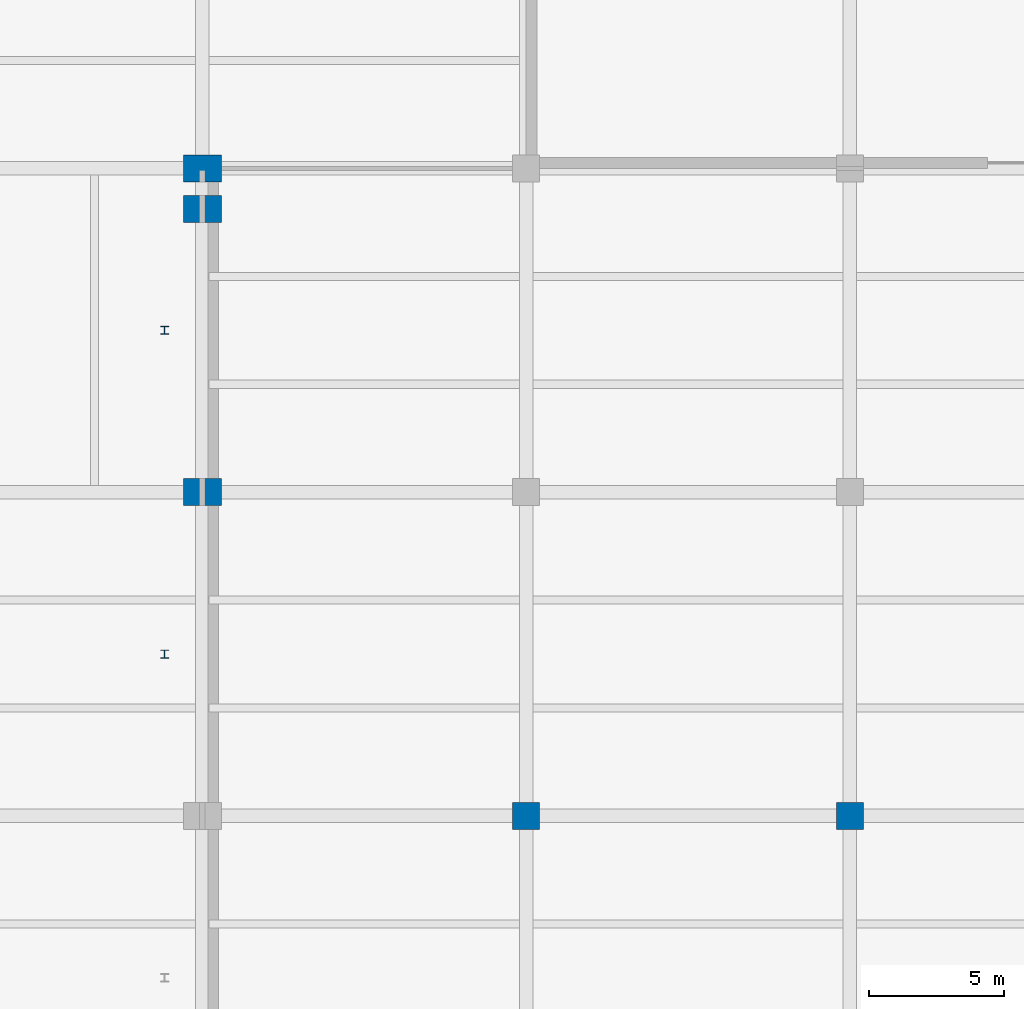
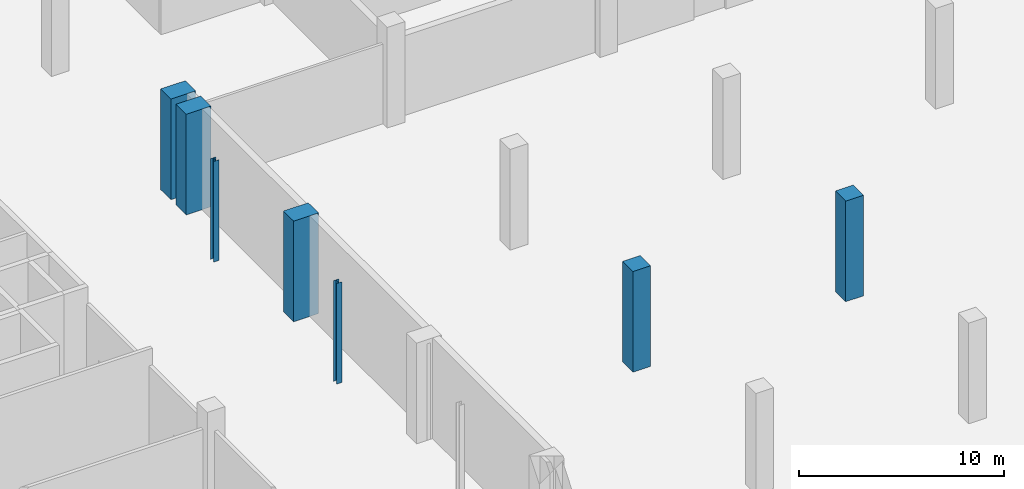
# One storey, part 11 of 59: 7 columns.
"""IFC4 building model written with IfcOpenShell, lengths in metres."""

import ifcopenshell
import ifcopenshell.guid

model = None  # the IFC model being written
_history = None  # IfcOwnerHistory: only IFC2X3 demands one
_inside = {}  # id of a spatial element -> (the spatial element, [elements in it])
_under = {}  # id of a project, library or spatial element -> (it, [spatial elements below it])
_declared = {}  # id of a project -> (the project, [libraries it declares])
_typed = {}  # id of a type object -> (the type object, [elements of that type])
_made_of = {}  # id of a material, layer set ... -> (it, [elements and type objects made of it])


def new_model(schema):
    """Start an empty IFC model of exactly this schema.

    Asked for "IFC4X3", IfcOpenShell would pick the latest addendum, in which some entities
    have other attributes; the version numbers below select the first issue.
    IFC2X3 requires an IfcOwnerHistory on every rooted entity: one is made here for all.
    """
    global model, _history
    if schema == "IFC4X3":
        model = ifcopenshell.file(schema_version=(4, 3, 0, 0))
    else:
        model = ifcopenshell.file(schema=schema)
    _inside.clear()
    _under.clear()
    _declared.clear()
    _typed.clear()
    _made_of.clear()
    _history = None
    if model.schema == "IFC2X3":
        org = make("IfcOrganization", Name="unknown")
        user = make(
            "IfcPersonAndOrganization",
            ThePerson=make("IfcPerson", FamilyName="unknown"),
            TheOrganization=org,
        )
        app = make(
            "IfcApplication",
            ApplicationDeveloper=org,
            Version="unknown",
            ApplicationFullName="unknown",
            ApplicationIdentifier="unknown",
        )
        _history = make(
            "IfcOwnerHistory",
            OwningUser=user,
            OwningApplication=app,
            ChangeAction="ADDED",
            CreationDate=0,
        )
    return model


def make(cls, **values):
    """One entity of the class cls with the attributes given. An attribute that is None is left unset."""
    return model.create_entity(
        cls, **{name: value for name, value in values.items() if value is not None}
    )


def rooted(cls, **values):
    """An entity with a GlobalId (a new one), such as an element, a storey or a relation."""
    return make(cls, GlobalId=ifcopenshell.guid.new(), OwnerHistory=_history, **values)


def si_unit(unit_type, name, prefix=None):
    """IfcSIUnit, for example si_unit("LENGTHUNIT", "METRE", prefix="MILLI")."""
    return make("IfcSIUnit", UnitType=unit_type, Prefix=prefix, Name=name)


def assignment(units):
    """IfcUnitAssignment: the units of a project."""
    return None if units is None else make("IfcUnitAssignment", Units=units)


def point(xyz):
    """IfcCartesianPoint."""
    return None if xyz is None else make("IfcCartesianPoint", Coordinates=xyz)


def direction(xyz):
    """IfcDirection."""
    return None if xyz is None else make("IfcDirection", DirectionRatios=xyz)


def frame(location, z_axis=None, x_axis=None):
    """IfcAxis2Placement3D, a coordinate frame: its origin and axes. An axis left out is left unset."""
    return make(
        "IfcAxis2Placement3D",
        Location=point(location),
        Axis=direction(z_axis),
        RefDirection=direction(x_axis),
    )


def frame_2d(location, x_axis=None):
    """IfcAxis2Placement2D, a coordinate frame in the plane: its origin and x axis."""
    return make(
        "IfcAxis2Placement2D", Location=point(location), RefDirection=direction(x_axis)
    )


def origin():
    """The frame at (0, 0, 0) with its axes left unset."""
    return frame((0.0, 0.0, 0.0))


def origin_2d():
    """The frame at (0, 0) in the plane with its x axis left unset."""
    return frame_2d((0.0, 0.0))


def place(relative_to, where):
    """IfcLocalPlacement: puts the frame where relative to a parent placement (None: the world)."""
    return make(
        "IfcLocalPlacement", PlacementRelTo=relative_to, RelativePlacement=where
    )


def context(
    kind, dimensions, precision=None, world=None, true_north=None, identifier=None
):
    """IfcGeometricRepresentationContext, for example the 3D "Model" context."""
    return make(
        "IfcGeometricRepresentationContext",
        ContextIdentifier=identifier,
        ContextType=kind,
        CoordinateSpaceDimension=dimensions,
        Precision=precision,
        WorldCoordinateSystem=world,
        TrueNorth=true_north,
    )


def subcontext(parent, identifier, kind, view, scale=None):
    """IfcGeometricRepresentationSubContext, for example "Body" below "Model"."""
    return make(
        "IfcGeometricRepresentationSubContext",
        ContextIdentifier=identifier,
        ContextType=kind,
        ParentContext=parent,
        TargetScale=scale,
        TargetView=view,
    )


def project(units=None, contexts=None):
    """IfcProject with its units and contexts."""
    return rooted(
        "IfcProject",
        Name="project",
        RepresentationContexts=contexts,
        UnitsInContext=assignment(units),
    )


def spatial(cls, under=None, at=None, **own):
    """A site, building, storey or space (cls), placed at a placement, below another one or the project."""
    s = rooted(cls, ObjectPlacement=at, **own)
    if under is not None:
        _under.setdefault(under.id(), (under, []))[1].append(s)
    return s


def profile(cls, at=None, kind="AREA", **sizes):
    """A parametric profile (cls). Its sizes go by their IFC names, for example OverallWidth=200.0."""
    return make(cls, ProfileType=kind, Position=at, **sizes)


def rectangle(**sizes):
    """IfcRectangleProfileDef."""
    return profile("IfcRectangleProfileDef", **sizes)


def i_section(**sizes):
    """IfcIShapeProfileDef."""
    return profile("IfcIShapeProfileDef", **sizes)


def extrude(swept, where, along, depth):
    """IfcExtrudedAreaSolid: the profile swept, set in the frame where, extruded along a direction by depth."""
    return make(
        "IfcExtrudedAreaSolid",
        SweptArea=swept,
        Position=where,
        ExtrudedDirection=direction(along),
        Depth=depth,
    )


def shape(context_of_items, identifier, shape_type, items):
    """IfcShapeRepresentation: the items that make up one representation, for example the "Body"."""
    return make(
        "IfcShapeRepresentation",
        ContextOfItems=context_of_items,
        RepresentationIdentifier=identifier,
        RepresentationType=shape_type,
        Items=items,
    )


def material(Name=None, Category=None):
    """IfcMaterial."""
    return make("IfcMaterial", Name=Name, Category=Category)


def material_profile(
    of_material, cross_section, Name=None, Category=None, Priority=None
):
    """IfcMaterialProfile: a cross section and its material."""
    return make(
        "IfcMaterialProfile",
        Name=Name,
        Material=of_material,
        Profile=cross_section,
        Priority=Priority,
        Category=Category,
    )


def profile_set(profiles, Name=None, composite=None):
    """IfcMaterialProfileSet."""
    return make(
        "IfcMaterialProfileSet",
        Name=Name,
        MaterialProfiles=profiles,
        CompositeProfile=composite,
    )


def made_of(thing, what):
    """Note that an element or type object is made of a material, layer set ...; save() writes the relation."""
    if what is not None:
        _made_of.setdefault(what.id(), (what, []))[1].append(thing)
    return thing


def type_object(cls, material=None, **own):
    """A type object (cls), such as IfcWallType, which elements share."""
    return made_of(rooted(cls, **own), material)


def element(
    cls,
    number,
    at=None,
    inside=None,
    cuts=None,
    type_object=None,
    material=None,
    context=None,
    identifier="Body",
    shape_type=None,
    held_by="IfcProductDefinitionShape",
    body=None,
    shapes=None,
    **own,
):
    """One element of the class cls, such as IfcWall. Its Tag is "e" and its number.

    at: its placement. inside: the storey or other place that contains it. cuts: it is an
    opening in that element (IfcRelVoidsElement). A single representation is given by context,
    identifier, shape_type and body (its items); several are given by shapes. held_by: the class
    of the entity that holds the representations. save() writes the other relations.
    """
    e = rooted(cls, Tag="e%d" % number, ObjectPlacement=at, **own)
    if body is not None:
        shapes = [shape(context, identifier, shape_type, body)]
    if shapes is not None:
        e.Representation = make(held_by, Representations=shapes)
    if inside is not None:
        _inside.setdefault(inside.id(), (inside, []))[1].append(e)
    if cuts is not None:
        rooted(
            "IfcRelVoidsElement", RelatingBuildingElement=cuts, RelatedOpeningElement=e
        )
    if type_object is not None:
        _typed.setdefault(type_object.id(), (type_object, []))[1].append(e)
    return made_of(e, material)


def aggregate(whole, parts):
    """IfcRelAggregates: a whole, such as a stair, and the parts it consists of."""
    return rooted("IfcRelAggregates", RelatingObject=whole, RelatedObjects=parts)


def save(model, path):
    """Write the relations noted so far, then the file.

    IfcRelAggregates (storeys below a building ...), IfcRelContainedInSpatialStructure (elements
    in a storey), IfcRelDefinesByType, IfcRelAssociatesMaterial and IfcRelDeclares: one each for
    every whole, place, type object, material and project.
    """
    for whole, parts in _under.values():
        aggregate(whole, parts)
    for where, things in _inside.values():
        rooted(
            "IfcRelContainedInSpatialStructure",
            RelatedElements=things,
            RelatingStructure=where,
        )
    for kind, things in _typed.values():
        rooted("IfcRelDefinesByType", RelatedObjects=things, RelatingType=kind)
    for what, things in _made_of.values():
        rooted("IfcRelAssociatesMaterial", RelatedObjects=things, RelatingMaterial=what)
    for by, libraries in _declared.values():
        rooted("IfcRelDeclares", RelatingContext=by, RelatedDefinitions=libraries)
    model.write(path)


model = new_model("IFC4")

# Units and contexts
model_context = context("Model", 3, precision=1e-05, world=origin(), true_north=direction((0.0, 1.0)))
body_context = subcontext(model_context, "Body", "Model", "MODEL_VIEW")
ifc_project = project(units=[si_unit("LENGTHUNIT", "METRE"), si_unit("AREAUNIT", "SQUARE_METRE"), si_unit("VOLUMEUNIT", "CUBIC_METRE"), si_unit("PLANEANGLEUNIT", "RADIAN"), si_unit("MASSUNIT", "GRAM", prefix="KILO")], contexts=[model_context])

# Site, building, storey
site_placement = place(None, origin())
site = spatial("IfcSite", under=ifc_project, at=site_placement, CompositionType="ELEMENT")
building_placement = place(site_placement, origin())
building = spatial("IfcBuilding", under=site, at=building_placement, Name="Lilac Gate Convention Centre", CompositionType="ELEMENT")
storey_placement = place(building_placement, origin())
storey = spatial("IfcBuildingStorey", under=building, at=storey_placement, Name="L00", CompositionType="ELEMENT", Elevation=0.0)

# Columns
ifc_material_1 = material(Name="Concrete C40", Category="concrete")
ifc_material_profile_1 = material_profile(ifc_material_1, rectangle(XDim=1.0, YDim=1.0, at=origin_2d()), Name="RC 1000x1000")
ifc_profile_set_1 = profile_set([ifc_material_profile_1], Name="Concrete C40")
column_type_1 = type_object("IfcColumnType", Name="RC column 1000x1000 C40", PredefinedType="COLUMN", material=ifc_profile_set_1)
for number, where, z_axis, x_axis, name in (
    (1, (42.0, 198.0, 0.0), (0.0, 0.0, 1.0), (1.0, 0.0, 0.0), "C1 L00 at 4/Q"),
    (2, (54.0, 198.0, 0.0), (0.0, 0.0, 1.0), (1.0, 0.0, 0.0), "C1 L00 at 5/Q"),
):
    element("IfcColumn", number, at=place(storey_placement, frame(where, z_axis=z_axis, x_axis=x_axis)), inside=storey, type_object=column_type_1, Name=name, PredefinedType="COLUMN", context=body_context, shape_type="SweptSolid", body=[
        extrude(rectangle(XDim=1.0, YDim=1.0, at=origin_2d()), origin(), (0.0, 0.0, 1.0), 6.0),
    ])
ifc_material_profile_2 = material_profile(ifc_material_1, rectangle(XDim=1.39990234375, YDim=1.0, at=origin_2d()), Name="RC 1400x1000")
ifc_profile_set_2 = profile_set([ifc_material_profile_2], Name="Concrete C40")
column_type_2 = type_object("IfcColumnType", Name="RC hall column 1400x1000 C40", PredefinedType="COLUMN", material=ifc_profile_set_2)
for number, where, z_axis, x_axis, name in (
    (3, (30.0, 210.0, 0.0), (0.0, 0.0, 1.0), (1.0, 0.0, 0.0), "C2 L00 at 3/R"),
    (4, (30.0, 220.5, 0.0), (0.0, 0.0, 1.0), (1.0, 0.0, 0.0), "C2 L00 at 30/220.5"),
    (5, (30.0, 222.0, 0.0), (0.0, 0.0, 1.0), (1.0, 0.0, 0.0), "C2 L00 at 3/S"),
):
    element("IfcColumn", number, at=place(storey_placement, frame(where, z_axis=z_axis, x_axis=x_axis)), inside=storey, type_object=column_type_2, Name=name, PredefinedType="COLUMN", context=body_context, shape_type="SweptSolid", body=[
        extrude(rectangle(XDim=1.39990234375, YDim=1.0, at=origin_2d()), origin(), (0.0, 0.0, 1.0), 6.0),
    ])
ifc_material_2 = material(Name="Steel Q355B", Category="steel")
ifc_material_profile_3 = material_profile(ifc_material_2, i_section(OverallWidth=0.300048828125, OverallDepth=0.300048828125, WebThickness=0.010009765625, FlangeThickness=0.014892578125, FilletRadius=0.012939453125, at=origin_2d()), Name="HW300x300x10x15")
ifc_profile_set_3 = profile_set([ifc_material_profile_3], Name="Steel Q355B")
column_type_3 = type_object("IfcColumnType", Name="Steel column HW300x300x10x15", PredefinedType="COLUMN", material=ifc_profile_set_3)
for number, where, z_axis, x_axis, name in (
    (6, (28.60009765625, 204.0, 0.0), (0.0, 0.0, 1.0), (1.0, 0.0, 0.0), "SC1 L00 atrium column at 204"),
    (7, (28.60009765625, 216.0, 0.0), (0.0, 0.0, 1.0), (1.0, 0.0, 0.0), "SC1 L00 atrium column at 216"),
):
    element("IfcColumn", number, at=place(storey_placement, frame(where, z_axis=z_axis, x_axis=x_axis)), inside=storey, type_object=column_type_3, Name=name, PredefinedType="COLUMN", context=body_context, shape_type="SweptSolid", body=[
        extrude(i_section(OverallWidth=0.300048828125, OverallDepth=0.300048828125, WebThickness=0.010009765625, FlangeThickness=0.014892578125, FilletRadius=0.012939453125, at=origin_2d()), origin(), (0.0, 0.0, 1.0), 6.0),
    ])

save(model, "model.ifc")
